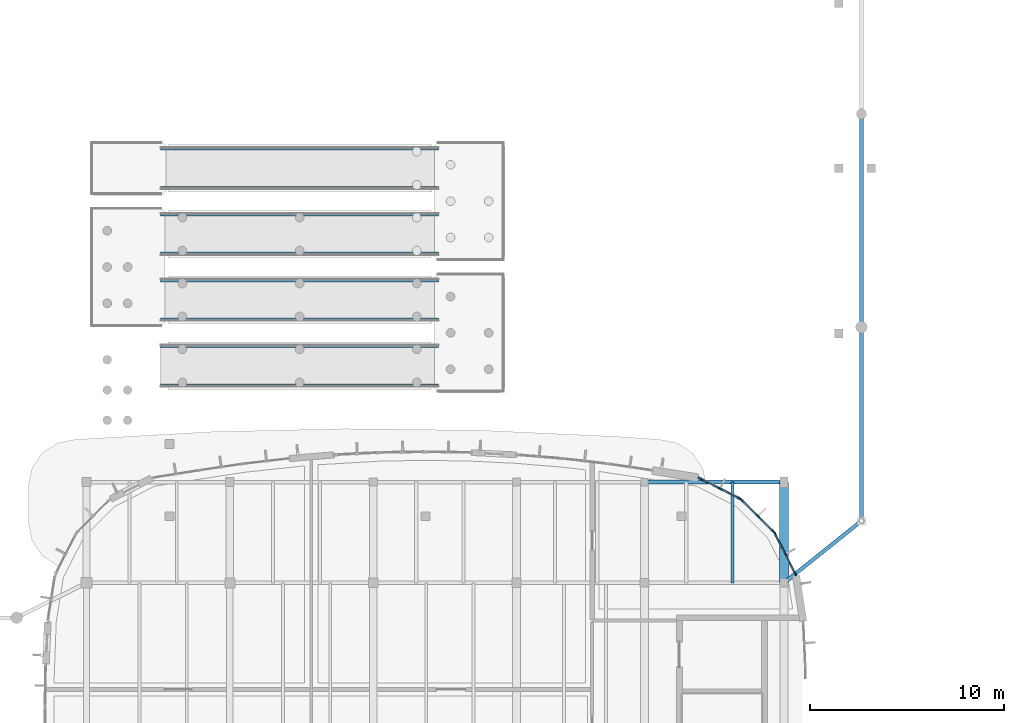
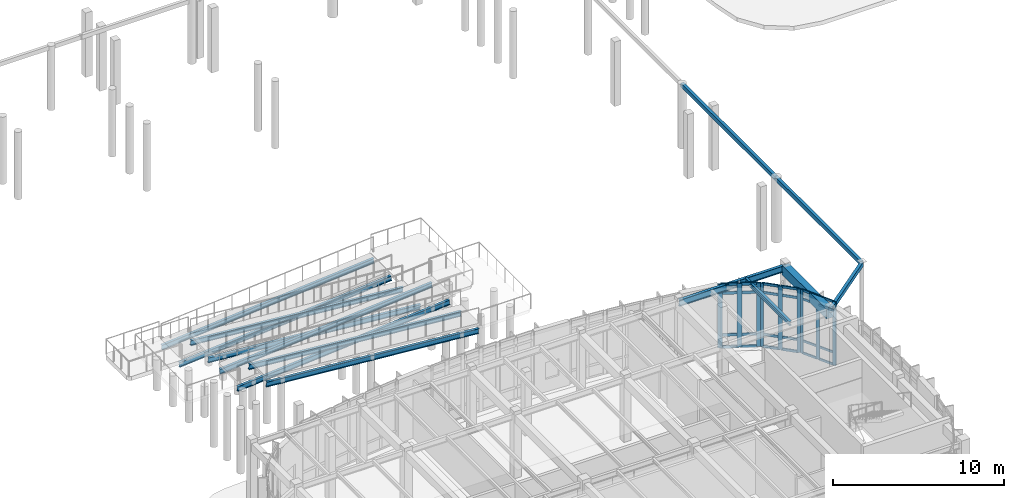
# One storey, part 36 of 120: 33 members, 14 beams, 3 elements without a shape of their own.
"""IFC4 building model written with IfcOpenShell, lengths in metres."""

from ifc_helpers import new_model, si_unit, direction, frame, origin, origin_2d, place, context, subcontext, project, spatial, rectangle, hollow_rectangle, i_section, extrude, material, material_profile, profile_set, type_object, element, aggregate, save


model = new_model("IFC4")

# Units and contexts
model_context = context("Model", 3, precision=1e-05, world=origin(), true_north=direction((0.0, 1.0)))
body_context = subcontext(model_context, "Body", "Model", "MODEL_VIEW")
ifc_project = project(units=[si_unit("LENGTHUNIT", "METRE"), si_unit("AREAUNIT", "SQUARE_METRE"), si_unit("VOLUMEUNIT", "CUBIC_METRE"), si_unit("PLANEANGLEUNIT", "RADIAN"), si_unit("MASSUNIT", "GRAM", prefix="KILO")], contexts=[model_context])

# Site, building, storey
site_placement = place(None, origin())
site = spatial("IfcSite", under=ifc_project, at=site_placement, CompositionType="ELEMENT")
building_placement = place(site_placement, origin())
building = spatial("IfcBuilding", under=site, at=building_placement, Name="Corveleigh Park Community Centre", CompositionType="ELEMENT")
storey_placement = place(building_placement, origin())
storey = spatial("IfcBuildingStorey", under=building, at=storey_placement, Name="L00", CompositionType="ELEMENT", Elevation=0.0)

# Beams
ifc_material_1 = material(Name="Concrete C40/50", Category="concrete")
ifc_material_profile_1 = material_profile(ifc_material_1, rectangle(XDim=0.449951171875, YDim=0.699951171875, at=origin_2d()), Name="RC-450x700", Category="concrete")
ifc_profile_set_1 = profile_set([ifc_material_profile_1], Name="Concrete C40/50")
beam_type_1 = type_object("IfcBeamType", Name="BM-RC-450x700", PredefinedType="BEAM", material=ifc_profile_set_1)
beam_1_placement = place(storey_placement, frame((108.0, 26.804931640625, 4.18701171875), z_axis=(0.0, 1.0, 0.0), x_axis=(-1.0, 0.0, 0.0)))
element("IfcBeam", 1, at=beam_1_placement, inside=storey, type_object=beam_type_1, Name="V3 Girder Y", PredefinedType="BEAM", context=body_context, shape_type="SweptSolid", body=[
    extrude(rectangle(XDim=0.449951171875, YDim=0.699951171875, at=origin_2d()), origin(), (0.0, 0.0, 1.0), 5.190185546875),
])
ifc_material_2 = material(Name="Steel S355", Category="steel")
ifc_material_profile_2 = material_profile(ifc_material_2, i_section(OverallWidth=0.1669921875, OverallDepth=0.310302734375, WebThickness=0.0078125, FlangeThickness=0.013671875, at=origin_2d()), Name="UKB 305x165x54", Category="steel")
ifc_profile_set_2 = profile_set([ifc_material_profile_2], Name="Steel S355")
beam_type_2 = type_object("IfcBeamType", Name="BM-STL-UKB305x54", PredefinedType="JOIST", material=ifc_profile_set_2)
beam_2_placement = place(storey_placement, frame((105.3359375, 26.804931640625, 4.3818359375), z_axis=(0.0, 1.0, 0.0), x_axis=(-1.0, 0.0, 0.0)))
element("IfcBeam", 2, at=beam_2_placement, inside=storey, type_object=beam_type_2, Name="Secondary floor joist", PredefinedType="JOIST", context=body_context, shape_type="SweptSolid", body=[
    extrude(i_section(OverallWidth=0.1669921875, OverallDepth=0.310302734375, WebThickness=0.0078125, FlangeThickness=0.013671875, at=origin_2d()), origin(), (0.0, 0.0, 1.0), 5.190185546875),
])
ifc_material_profile_3 = material_profile(ifc_material_2, i_section(OverallWidth=0.172119140625, OverallDepth=0.35791015625, WebThickness=0.008056640625, FlangeThickness=0.012939453125, at=origin_2d()), Name="UKB 356x171x57", Category="steel")
ifc_profile_set_3 = profile_set([ifc_material_profile_3], Name="Steel S355")
beam_type_3 = type_object("IfcBeamType", Name="BM-STL-UKB356x57", PredefinedType="BEAM", material=ifc_profile_set_3)
for number, where, z_axis, x_axis, name in (
    (3, (75.83984375, 49.219970703125, -0.565673828125), (0.996545758245, 0.0, 0.083045479854), (0.0, 1.0, 0.0), "Promenade RM7 Stringer L"),
    (4, (75.83984375, 47.179931640625, -0.565673828125), (0.996545758245, 0.0, 0.083045479854), (0.0, 1.0, 0.0), "Promenade RM7 Stringer R"),
    (5, (90.16015625, 43.780029296875, 0.63427734375), (-0.996545758245, 0.0, 0.083045479854), (0.0, -1.0, 0.0), "Promenade RM8 Stringer L"),
    (6, (90.16015625, 45.820068359375, 0.63427734375), (-0.996545758245, 0.0, 0.083045479854), (0.0, -1.0, 0.0), "Promenade RM8 Stringer R"),
    (7, (75.83984375, 42.419921875, 1.834228515625), (0.996545758245, 0.0, 0.083045479854), (0.0, 1.0, 0.0), "Promenade RM9 Stringer L"),
    (8, (75.83984375, 40.3798828125, 1.834228515625), (0.996545758245, 0.0, 0.083045479854), (0.0, 1.0, 0.0), "Promenade RM9 Stringer R"),
    (9, (90.16015625, 36.97998046875, 3.0341796875), (-0.996544352063, 0.0, 0.083062352312), (0.0, -1.0, 0.0), "Promenade RM10 Stringer L"),
    (10, (90.16015625, 39.02001953125, 3.0341796875), (-0.996544352063, 0.0, 0.083062352312), (0.0, -1.0, 0.0), "Promenade RM10 Stringer R"),
):
    element("IfcBeam", number, at=place(storey_placement, frame(where, z_axis=z_axis, x_axis=x_axis)), inside=storey, type_object=beam_type_3, Name=name, PredefinedType="BEAM", context=body_context, shape_type="SweptSolid", body=[
        extrude(i_section(OverallWidth=0.172119140625, OverallDepth=0.35791015625, WebThickness=0.008056640625, FlangeThickness=0.012939453125, at=origin_2d()), origin(), (0.0, 0.0, 1.0), 14.369873046875),
    ])
ifc_material_profile_4 = material_profile(ifc_material_2, i_section(OverallWidth=0.19140625, OverallDepth=0.4599609375, WebThickness=0.010009765625, FlangeThickness=0.01611328125, at=origin_2d()), Name="UKB 457x191x82", Category="steel")
ifc_profile_set_4 = profile_set([ifc_material_profile_4], Name="Steel S355")
beam_type_4 = type_object("IfcBeamType", Name="BM-STL-UKB457x82", PredefinedType="BEAM", material=ifc_profile_set_4)
beam_3_placement = place(storey_placement, frame((100.804931640625, 32.0, 4.306884765625), z_axis=(1.0, 0.0, 0.0), x_axis=(0.0, 1.0, 0.0)))
element("IfcBeam", 11, at=beam_3_placement, inside=storey, type_object=beam_type_4, Name="V3 Girder X", PredefinedType="BEAM", context=body_context, shape_type="SweptSolid", body=[
    extrude(i_section(OverallWidth=0.19140625, OverallDepth=0.4599609375, WebThickness=0.010009765625, FlangeThickness=0.01611328125, at=origin_2d()), origin(), (0.0, 0.0, 1.0), 7.190185546875),
])

# Curtain wall, members
ifc_material_3 = material(Name="Anodised aluminium 6063-T6", Category="aluminium")
curtain_wall_type = type_object("IfcCurtainWallType", Name="CW-SYS-V3-L00", PredefinedType="NOTDEFINED", material=ifc_material_3)
curtain_wall_1_placement = place(storey_placement, origin())
curtain_wall_1 = element("IfcCurtainWall", 12, at=curtain_wall_1_placement, inside=storey, type_object=curtain_wall_type, Name="V3 L00 Curtain Wall 88", PredefinedType="NOTDEFINED")
ifc_material_profile_5 = material_profile(ifc_material_3, rectangle(XDim=0.074951171875, YDim=0.219970703125, at=origin_2d()), Name="ALU-M75x220", Category="aluminium")
ifc_profile_set_5 = profile_set([ifc_material_profile_5], Name="Anodised aluminium 6063-T6")
member_type_1 = type_object("IfcMemberType", Name="CWM-75x220", PredefinedType="MULLION", material=ifc_profile_set_5)
member_1_placement = place(storey_placement, frame((107.5439453125, 29.317626953125, 0.0), z_axis=(0.0, 0.0, 1.0), x_axis=(0.890932984411, 0.45413480079, 0.0)))
member_1 = element("IfcMember", 13, at=member_1_placement, type_object=member_type_1, Name="CW05 mullion 1", PredefinedType="MULLION", context=body_context, shape_type="SweptSolid", body=[
    extrude(rectangle(XDim=0.074951171875, YDim=0.219970703125, at=origin_2d()), origin(), (0.0, 0.0, 1.0), 4.537109375),
])
member_2_placement = place(storey_placement, frame((108.06396484375, 28.297607421875, 0.0), z_axis=(0.0, 0.0, 1.0), x_axis=(0.890932984411, 0.45413480079, 0.0)))
member_2 = element("IfcMember", 14, at=member_2_placement, type_object=member_type_1, Name="CW05 mullion 2", PredefinedType="MULLION", context=body_context, shape_type="SweptSolid", body=[
    extrude(rectangle(XDim=0.074951171875, YDim=0.219970703125, at=origin_2d()), origin(), (0.0, 0.0, 1.0), 4.537109375),
])
member_3_placement = place(storey_placement, frame((108.583984375, 27.27734375, 0.0), z_axis=(0.0, 0.0, 1.0), x_axis=(0.890932984411, 0.45413480079, 0.0)))
member_3 = element("IfcMember", 15, at=member_3_placement, type_object=member_type_1, Name="CW05 mullion 3", PredefinedType="MULLION", context=body_context, shape_type="SweptSolid", body=[
    extrude(rectangle(XDim=0.074951171875, YDim=0.219970703125, at=origin_2d()), origin(), (0.0, 0.0, 1.0), 4.537109375),
])

curtain_wall_2_placement = place(storey_placement, origin())
curtain_wall_2 = element("IfcCurtainWall", 16, at=curtain_wall_2_placement, inside=storey, type_object=curtain_wall_type, Name="V3 L00 Curtain Wall 89", PredefinedType="NOTDEFINED")
ifc_material_profile_6 = material_profile(ifc_material_3, rectangle(XDim=0.080078125, YDim=0.25, at=origin_2d()), Name="ALU-M80x250", Category="aluminium")
ifc_profile_set_6 = profile_set([ifc_material_profile_6], Name="Anodised aluminium 6063-T6")
member_type_2 = type_object("IfcMemberType", Name="CWM-80x250", PredefinedType="MULLION", material=ifc_profile_set_6)
member_4_placement = place(storey_placement, frame((105.84033203125, 31.0546875, 0.0), z_axis=(0.0, 0.0, 1.0), x_axis=(0.707106781187, 0.707106781187, 0.0)))
member_4 = element("IfcMember", 17, at=member_4_placement, type_object=member_type_2, Name="CW05 mullion 1", PredefinedType="MULLION", context=body_context, shape_type="SweptSolid", body=[
    extrude(rectangle(XDim=0.080078125, YDim=0.25, at=origin_2d()), origin(), (0.0, 0.0, 1.0), 4.537109375),
])
member_5_placement = place(storey_placement, frame((106.6474609375, 30.24755859375, 0.0), z_axis=(0.0, 0.0, 1.0), x_axis=(0.707106781187, 0.707106781187, 0.0)))
member_5 = element("IfcMember", 18, at=member_5_placement, type_object=member_type_2, Name="CW05 mullion 2", PredefinedType="MULLION", context=body_context, shape_type="SweptSolid", body=[
    extrude(rectangle(XDim=0.080078125, YDim=0.25, at=origin_2d()), origin(), (0.0, 0.0, 1.0), 4.537109375),
])
member_6_placement = place(storey_placement, frame((107.454833984375, 29.440185546875, 0.0), z_axis=(0.0, 0.0, 1.0), x_axis=(0.707106781187, 0.707106781187, 0.0)))
member_6 = element("IfcMember", 19, at=member_6_placement, type_object=member_type_2, Name="CW05 mullion 3", PredefinedType="MULLION", context=body_context, shape_type="SweptSolid", body=[
    extrude(rectangle(XDim=0.080078125, YDim=0.25, at=origin_2d()), origin(), (0.0, 0.0, 1.0), 4.537109375),
])

curtain_wall_3_placement = place(storey_placement, origin())
curtain_wall_3 = element("IfcCurtainWall", 20, at=curtain_wall_3_placement, inside=storey, type_object=curtain_wall_type, Name="V3 L00 Curtain Wall 90", PredefinedType="NOTDEFINED")
ifc_material_profile_7 = material_profile(ifc_material_3, rectangle(XDim=0.0849609375, YDim=0.27490234375, at=origin_2d()), Name="ALU-M85x275", Category="aluminium")
ifc_profile_set_7 = profile_set([ifc_material_profile_7], Name="Anodised aluminium 6063-T6")
member_type_3 = type_object("IfcMemberType", Name="CWM-85x275", PredefinedType="MULLION", material=ifc_profile_set_7)
member_7_placement = place(storey_placement, frame((103.681884765625, 32.181640625, 0.0), z_axis=(0.0, 0.0, 1.0), x_axis=(0.45413480079, 0.890932984411, 0.0)))
member_7 = element("IfcMember", 21, at=member_7_placement, type_object=member_type_3, Name="CW05 mullion 1", PredefinedType="MULLION", context=body_context, shape_type="SweptSolid", body=[
    extrude(rectangle(XDim=0.0849609375, YDim=0.27490234375, at=origin_2d()), origin(), (0.0, 0.0, 1.0), 4.537109375),
])
member_8_placement = place(storey_placement, frame((104.697509765625, 31.6640625, 0.0), z_axis=(0.0, 0.0, 1.0), x_axis=(0.45413480079, 0.890932984411, 0.0)))
member_8 = element("IfcMember", 22, at=member_8_placement, type_object=member_type_3, Name="CW05 mullion 2", PredefinedType="MULLION", context=body_context, shape_type="SweptSolid", body=[
    extrude(rectangle(XDim=0.0849609375, YDim=0.27490234375, at=origin_2d()), origin(), (0.0, 0.0, 1.0), 4.537109375),
])
member_9_placement = place(storey_placement, frame((105.713134765625, 31.146240234375, 0.0), z_axis=(0.0, 0.0, 1.0), x_axis=(0.45413480079, 0.890932984411, 0.0)))
member_9 = element("IfcMember", 23, at=member_9_placement, type_object=member_type_3, Name="CW05 mullion 3", PredefinedType="MULLION", context=body_context, shape_type="SweptSolid", body=[
    extrude(rectangle(XDim=0.0849609375, YDim=0.27490234375, at=origin_2d()), origin(), (0.0, 0.0, 1.0), 4.537109375),
])

# Member
ifc_material_profile_8 = material_profile(ifc_material_3, rectangle(XDim=0.070068359375, YDim=0.155029296875, at=origin_2d()), Name="ALU-T70x155", Category="aluminium")
ifc_profile_set_8 = profile_set([ifc_material_profile_8], Name="Anodised aluminium 6063-T6")
member_type_4 = type_object("IfcMemberType", Name="CWT-70x155", PredefinedType="USERDEFINED", material=ifc_profile_set_8)
member_10_placement = place(storey_placement, frame((107.56103515625, 29.2841796875, 0.034912109375), z_axis=(0.454045405177, -0.89097854634, 0.0), x_axis=(0.89097854634, 0.454045405177, 0.0)))
member_10 = element("IfcMember", 24, at=member_10_placement, type_object=member_type_4, Name="CW05 transom 1.1", ObjectType="TRANSOM", PredefinedType="USERDEFINED", context=body_context, shape_type="SweptSolid", body=[
    extrude(rectangle(XDim=0.070068359375, YDim=0.155029296875, at=origin_2d()), origin(), (0.0, 0.0, 1.0), 1.070068359375),
])

member_11_placement = place(storey_placement, frame((107.56103515625, 29.2841796875, 0.89990234375), z_axis=(0.454045405177, -0.89097854634, 0.0), x_axis=(0.89097854634, 0.454045405177, 0.0)))
member_11 = element("IfcMember", 25, at=member_11_placement, type_object=member_type_4, Name="CW05 transom 1.2", ObjectType="TRANSOM", PredefinedType="USERDEFINED", context=body_context, shape_type="SweptSolid", body=[
    extrude(rectangle(XDim=0.070068359375, YDim=0.155029296875, at=origin_2d()), origin(), (0.0, 0.0, 1.0), 1.070068359375),
])

member_12_placement = place(storey_placement, frame((107.56103515625, 29.2841796875, 3.886962890625), z_axis=(0.454045405177, -0.89097854634, 0.0), x_axis=(0.89097854634, 0.454045405177, 0.0)))
member_12 = element("IfcMember", 26, at=member_12_placement, type_object=member_type_4, Name="CW05 transom 1.3", ObjectType="TRANSOM", PredefinedType="USERDEFINED", context=body_context, shape_type="SweptSolid", body=[
    extrude(rectangle(XDim=0.070068359375, YDim=0.155029296875, at=origin_2d()), origin(), (0.0, 0.0, 1.0), 1.070068359375),
])

member_13_placement = place(storey_placement, frame((107.56103515625, 29.2841796875, 4.501953125), z_axis=(0.454045405177, -0.89097854634, 0.0), x_axis=(0.89097854634, 0.454045405177, 0.0)))
member_13 = element("IfcMember", 27, at=member_13_placement, type_object=member_type_4, Name="CW05 transom 1.4", ObjectType="TRANSOM", PredefinedType="USERDEFINED", context=body_context, shape_type="SweptSolid", body=[
    extrude(rectangle(XDim=0.070068359375, YDim=0.155029296875, at=origin_2d()), origin(), (0.0, 0.0, 1.0), 1.070068359375),
])

member_14_placement = place(storey_placement, frame((108.0810546875, 28.26416015625, 0.034912109375), z_axis=(0.454045405177, -0.89097854634, 0.0), x_axis=(0.89097854634, 0.454045405177, 0.0)))
member_14 = element("IfcMember", 28, at=member_14_placement, type_object=member_type_4, Name="CW05 transom 2.1", ObjectType="TRANSOM", PredefinedType="USERDEFINED", context=body_context, shape_type="SweptSolid", body=[
    extrude(rectangle(XDim=0.070068359375, YDim=0.155029296875, at=origin_2d()), origin(), (0.0, 0.0, 1.0), 1.070068359375),
])

member_15_placement = place(storey_placement, frame((108.0810546875, 28.26416015625, 0.89990234375), z_axis=(0.454045405177, -0.89097854634, 0.0), x_axis=(0.89097854634, 0.454045405177, 0.0)))
member_15 = element("IfcMember", 29, at=member_15_placement, type_object=member_type_4, Name="CW05 transom 2.2", ObjectType="TRANSOM", PredefinedType="USERDEFINED", context=body_context, shape_type="SweptSolid", body=[
    extrude(rectangle(XDim=0.070068359375, YDim=0.155029296875, at=origin_2d()), origin(), (0.0, 0.0, 1.0), 1.070068359375),
])

member_16_placement = place(storey_placement, frame((108.0810546875, 28.26416015625, 3.886962890625), z_axis=(0.454045405177, -0.89097854634, 0.0), x_axis=(0.89097854634, 0.454045405177, 0.0)))
member_16 = element("IfcMember", 30, at=member_16_placement, type_object=member_type_4, Name="CW05 transom 2.3", ObjectType="TRANSOM", PredefinedType="USERDEFINED", context=body_context, shape_type="SweptSolid", body=[
    extrude(rectangle(XDim=0.070068359375, YDim=0.155029296875, at=origin_2d()), origin(), (0.0, 0.0, 1.0), 1.070068359375),
])

member_17_placement = place(storey_placement, frame((108.0810546875, 28.26416015625, 4.501953125), z_axis=(0.454045405177, -0.89097854634, 0.0), x_axis=(0.89097854634, 0.454045405177, 0.0)))
member_17 = element("IfcMember", 31, at=member_17_placement, type_object=member_type_4, Name="CW05 transom 2.4", ObjectType="TRANSOM", PredefinedType="USERDEFINED", context=body_context, shape_type="SweptSolid", body=[
    extrude(rectangle(XDim=0.070068359375, YDim=0.155029296875, at=origin_2d()), origin(), (0.0, 0.0, 1.0), 1.070068359375),
])

aggregate(curtain_wall_1, [member_1, member_2, member_3, member_10, member_11, member_12, member_13, member_14, member_15, member_16, member_17])

ifc_material_profile_9 = material_profile(ifc_material_3, rectangle(XDim=0.074951171875, YDim=0.175048828125, at=origin_2d()), Name="ALU-T75x175", Category="aluminium")
ifc_profile_set_9 = profile_set([ifc_material_profile_9], Name="Anodised aluminium 6063-T6")
member_type_5 = type_object("IfcMemberType", Name="CWT-75x175", PredefinedType="USERDEFINED", material=ifc_profile_set_9)
member_18_placement = place(storey_placement, frame((105.86865234375, 31.0263671875, 0.03759765625), z_axis=(0.707106781187, -0.707106781187, 0.0), x_axis=(0.707106781187, 0.707106781187, 0.0)))
member_18 = element("IfcMember", 32, at=member_18_placement, type_object=member_type_5, Name="CW05 transom 1.1", ObjectType="TRANSOM", PredefinedType="USERDEFINED", context=body_context, shape_type="SweptSolid", body=[
    extrude(rectangle(XDim=0.074951171875, YDim=0.175048828125, at=origin_2d()), origin(), (0.0, 0.0, 1.0), 1.061279296875),
])

member_19_placement = place(storey_placement, frame((105.86865234375, 31.0263671875, 0.89990234375), z_axis=(0.707106781187, -0.707106781187, 0.0), x_axis=(0.707106781187, 0.707106781187, 0.0)))
member_19 = element("IfcMember", 33, at=member_19_placement, type_object=member_type_5, Name="CW05 transom 1.2", ObjectType="TRANSOM", PredefinedType="USERDEFINED", context=body_context, shape_type="SweptSolid", body=[
    extrude(rectangle(XDim=0.074951171875, YDim=0.175048828125, at=origin_2d()), origin(), (0.0, 0.0, 1.0), 1.061279296875),
])

member_20_placement = place(storey_placement, frame((105.86865234375, 31.0263671875, 3.886962890625), z_axis=(0.707106781187, -0.707106781187, 0.0), x_axis=(0.707106781187, 0.707106781187, 0.0)))
member_20 = element("IfcMember", 34, at=member_20_placement, type_object=member_type_5, Name="CW05 transom 1.3", ObjectType="TRANSOM", PredefinedType="USERDEFINED", context=body_context, shape_type="SweptSolid", body=[
    extrude(rectangle(XDim=0.074951171875, YDim=0.175048828125, at=origin_2d()), origin(), (0.0, 0.0, 1.0), 1.061279296875),
])

member_21_placement = place(storey_placement, frame((105.86865234375, 31.0263671875, 4.49951171875), z_axis=(0.707106781187, -0.707106781187, 0.0), x_axis=(0.707106781187, 0.707106781187, 0.0)))
member_21 = element("IfcMember", 35, at=member_21_placement, type_object=member_type_5, Name="CW05 transom 1.4", ObjectType="TRANSOM", PredefinedType="USERDEFINED", context=body_context, shape_type="SweptSolid", body=[
    extrude(rectangle(XDim=0.074951171875, YDim=0.175048828125, at=origin_2d()), origin(), (0.0, 0.0, 1.0), 1.061279296875),
])

member_22_placement = place(storey_placement, frame((106.67578125, 30.21923828125, 0.03759765625), z_axis=(0.707106781187, -0.707106781187, 0.0), x_axis=(0.707106781187, 0.707106781187, 0.0)))
member_22 = element("IfcMember", 36, at=member_22_placement, type_object=member_type_5, Name="CW05 transom 2.1", ObjectType="TRANSOM", PredefinedType="USERDEFINED", context=body_context, shape_type="SweptSolid", body=[
    extrude(rectangle(XDim=0.074951171875, YDim=0.175048828125, at=origin_2d()), origin(), (0.0, 0.0, 1.0), 1.061767578125),
])

member_23_placement = place(storey_placement, frame((106.67578125, 30.21923828125, 0.89990234375), z_axis=(0.707106781187, -0.707106781187, 0.0), x_axis=(0.707106781187, 0.707106781187, 0.0)))
member_23 = element("IfcMember", 37, at=member_23_placement, type_object=member_type_5, Name="CW05 transom 2.2", ObjectType="TRANSOM", PredefinedType="USERDEFINED", context=body_context, shape_type="SweptSolid", body=[
    extrude(rectangle(XDim=0.074951171875, YDim=0.175048828125, at=origin_2d()), origin(), (0.0, 0.0, 1.0), 1.061767578125),
])

member_24_placement = place(storey_placement, frame((106.67578125, 30.21923828125, 3.886962890625), z_axis=(0.707106781187, -0.707106781187, 0.0), x_axis=(0.707106781187, 0.707106781187, 0.0)))
member_24 = element("IfcMember", 38, at=member_24_placement, type_object=member_type_5, Name="CW05 transom 2.3", ObjectType="TRANSOM", PredefinedType="USERDEFINED", context=body_context, shape_type="SweptSolid", body=[
    extrude(rectangle(XDim=0.074951171875, YDim=0.175048828125, at=origin_2d()), origin(), (0.0, 0.0, 1.0), 1.061767578125),
])

member_25_placement = place(storey_placement, frame((106.67578125, 30.21923828125, 4.49951171875), z_axis=(0.707106781187, -0.707106781187, 0.0), x_axis=(0.707106781187, 0.707106781187, 0.0)))
member_25 = element("IfcMember", 39, at=member_25_placement, type_object=member_type_5, Name="CW05 transom 2.4", ObjectType="TRANSOM", PredefinedType="USERDEFINED", context=body_context, shape_type="SweptSolid", body=[
    extrude(rectangle(XDim=0.074951171875, YDim=0.175048828125, at=origin_2d()), origin(), (0.0, 0.0, 1.0), 1.061767578125),
])

aggregate(curtain_wall_2, [member_4, member_5, member_6, member_18, member_19, member_20, member_21, member_22, member_23, member_24, member_25])

ifc_material_profile_10 = material_profile(ifc_material_3, rectangle(XDim=0.080078125, YDim=0.195068359375, at=origin_2d()), Name="ALU-T80x195", Category="aluminium")
ifc_profile_set_10 = profile_set([ifc_material_profile_10], Name="Anodised aluminium 6063-T6")
member_type_6 = type_object("IfcMemberType", Name="CWT-80x195", PredefinedType="USERDEFINED", material=ifc_profile_set_10)
member_26_placement = place(storey_placement, frame((103.7197265625, 32.162353515625, 0.0400390625), z_axis=(0.890975909123, -0.454050580181, 0.0), x_axis=(0.454050580181, 0.890975909123, 0.0)))
member_26 = element("IfcMember", 40, at=member_26_placement, type_object=member_type_6, Name="CW05 transom 1.1", ObjectType="TRANSOM", PredefinedType="USERDEFINED", context=body_context, shape_type="SweptSolid", body=[
    extrude(rectangle(XDim=0.080078125, YDim=0.195068359375, at=origin_2d()), origin(), (0.0, 0.0, 1.0), 1.054931640625),
])

member_27_placement = place(storey_placement, frame((103.7197265625, 32.162353515625, 0.89990234375), z_axis=(0.890975909123, -0.454050580181, 0.0), x_axis=(0.454050580181, 0.890975909123, 0.0)))
member_27 = element("IfcMember", 41, at=member_27_placement, type_object=member_type_6, Name="CW05 transom 1.2", ObjectType="TRANSOM", PredefinedType="USERDEFINED", context=body_context, shape_type="SweptSolid", body=[
    extrude(rectangle(XDim=0.080078125, YDim=0.195068359375, at=origin_2d()), origin(), (0.0, 0.0, 1.0), 1.054931640625),
])

member_28_placement = place(storey_placement, frame((103.7197265625, 32.162353515625, 3.886962890625), z_axis=(0.890975909123, -0.454050580181, 0.0), x_axis=(0.454050580181, 0.890975909123, 0.0)))
member_28 = element("IfcMember", 42, at=member_28_placement, type_object=member_type_6, Name="CW05 transom 1.3", ObjectType="TRANSOM", PredefinedType="USERDEFINED", context=body_context, shape_type="SweptSolid", body=[
    extrude(rectangle(XDim=0.080078125, YDim=0.195068359375, at=origin_2d()), origin(), (0.0, 0.0, 1.0), 1.054931640625),
])

member_29_placement = place(storey_placement, frame((103.7197265625, 32.162353515625, 4.4970703125), z_axis=(0.890975909123, -0.454050580181, 0.0), x_axis=(0.454050580181, 0.890975909123, 0.0)))
member_29 = element("IfcMember", 43, at=member_29_placement, type_object=member_type_6, Name="CW05 transom 1.4", ObjectType="TRANSOM", PredefinedType="USERDEFINED", context=body_context, shape_type="SweptSolid", body=[
    extrude(rectangle(XDim=0.080078125, YDim=0.195068359375, at=origin_2d()), origin(), (0.0, 0.0, 1.0), 1.054931640625),
])

member_30_placement = place(storey_placement, frame((104.7353515625, 31.644775390625, 0.0400390625), z_axis=(0.890882278561, -0.454234263069, 0.0), x_axis=(0.454234263069, 0.890882278561, 0.0)))
member_30 = element("IfcMember", 44, at=member_30_placement, type_object=member_type_6, Name="CW05 transom 2.1", ObjectType="TRANSOM", PredefinedType="USERDEFINED", context=body_context, shape_type="SweptSolid", body=[
    extrude(rectangle(XDim=0.080078125, YDim=0.195068359375, at=origin_2d()), origin(), (0.0, 0.0, 1.0), 1.05517578125),
])

member_31_placement = place(storey_placement, frame((104.7353515625, 31.644775390625, 0.89990234375), z_axis=(0.890882278561, -0.454234263069, 0.0), x_axis=(0.454234263069, 0.890882278561, 0.0)))
member_31 = element("IfcMember", 45, at=member_31_placement, type_object=member_type_6, Name="CW05 transom 2.2", ObjectType="TRANSOM", PredefinedType="USERDEFINED", context=body_context, shape_type="SweptSolid", body=[
    extrude(rectangle(XDim=0.080078125, YDim=0.195068359375, at=origin_2d()), origin(), (0.0, 0.0, 1.0), 1.05517578125),
])

member_32_placement = place(storey_placement, frame((104.7353515625, 31.644775390625, 3.886962890625), z_axis=(0.890882278561, -0.454234263069, 0.0), x_axis=(0.454234263069, 0.890882278561, 0.0)))
member_32 = element("IfcMember", 46, at=member_32_placement, type_object=member_type_6, Name="CW05 transom 2.3", ObjectType="TRANSOM", PredefinedType="USERDEFINED", context=body_context, shape_type="SweptSolid", body=[
    extrude(rectangle(XDim=0.080078125, YDim=0.195068359375, at=origin_2d()), origin(), (0.0, 0.0, 1.0), 1.05517578125),
])

member_33_placement = place(storey_placement, frame((104.7353515625, 31.644775390625, 4.4970703125), z_axis=(0.890882278561, -0.454234263069, 0.0), x_axis=(0.454234263069, 0.890882278561, 0.0)))
member_33 = element("IfcMember", 47, at=member_33_placement, type_object=member_type_6, Name="CW05 transom 2.4", ObjectType="TRANSOM", PredefinedType="USERDEFINED", context=body_context, shape_type="SweptSolid", body=[
    extrude(rectangle(XDim=0.080078125, YDim=0.195068359375, at=origin_2d()), origin(), (0.0, 0.0, 1.0), 1.05517578125),
])

aggregate(curtain_wall_3, [member_7, member_8, member_9, member_26, member_27, member_28, member_29, member_30, member_31, member_32, member_33])

# Beams
ifc_material_profile_11 = material_profile(ifc_material_2, hollow_rectangle(XDim=0.199951171875, YDim=0.300048828125, WallThickness=0.012451171875, at=origin_2d()), Name="RHS 300x200x12.5", Category="steel")
ifc_profile_set_11 = profile_set([ifc_material_profile_11], Name="Steel S355")
beam_type_5 = type_object("IfcBeamType", Name="SP-STL-RHS300x200", PredefinedType="SPANDREL", material=ifc_profile_set_11)
beam_4_placement = place(storey_placement, frame((112.0, 50.9951171875, 4.429931640625), z_axis=(0.0, -1.0, 0.0), x_axis=(1.0, 0.0, 0.0)))
element("IfcBeam", 48, at=beam_4_placement, inside=storey, type_object=beam_type_5, Name="Covered Passage Canopy Girder", PredefinedType="SPANDREL", context=body_context, shape_type="SweptSolid", body=[
    extrude(hollow_rectangle(XDim=0.199951171875, YDim=0.300048828125, WallThickness=0.012451171875, at=origin_2d()), origin(), (0.0, 0.0, 1.0), 10.990234375),
])
beam_5_placement = place(storey_placement, frame((112.0, 39.9951171875, 4.429931640625), z_axis=(0.0, -1.0, 0.0), x_axis=(1.0, 0.0, 0.0)))
element("IfcBeam", 49, at=beam_5_placement, inside=storey, type_object=beam_type_5, Name="Covered Passage Canopy Girder", PredefinedType="SPANDREL", context=body_context, shape_type="SweptSolid", body=[
    extrude(hollow_rectangle(XDim=0.199951171875, YDim=0.300048828125, WallThickness=0.012451171875, at=origin_2d()), origin(), (0.0, 0.0, 1.0), 9.990234375),
])
beam_6_placement = place(storey_placement, frame((111.99609375, 29.996826171875, 4.386962890625), z_axis=(-0.780859491669, -0.624706694594, 0.0), x_axis=(0.624706694594, -0.780859491669, 0.0)))
element("IfcBeam", 50, at=beam_6_placement, inside=storey, type_object=beam_type_5, Name="Covered Passage Canopy Girder", PredefinedType="SPANDREL", context=body_context, shape_type="SweptSolid", body=[
    extrude(hollow_rectangle(XDim=0.199951171875, YDim=0.300048828125, WallThickness=0.012451171875, at=origin_2d()), origin(), (0.0, 0.0, 1.0), 5.112548828125),
])

save(model, "model.ifc")
